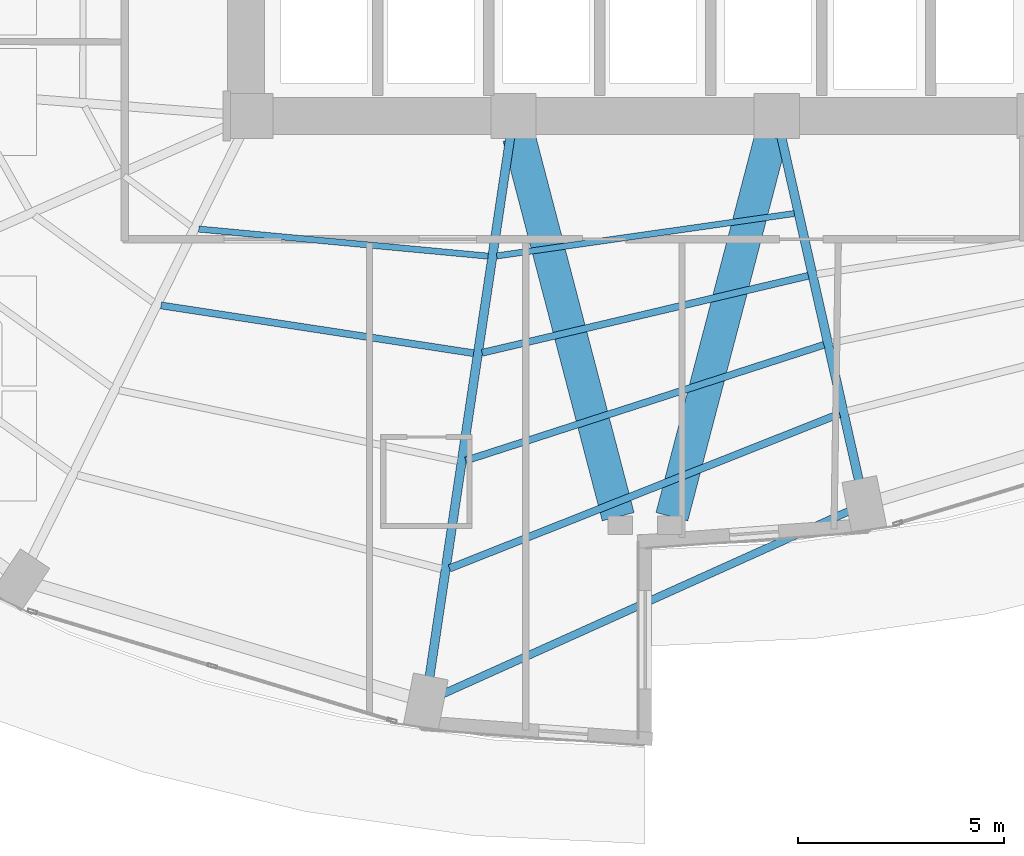
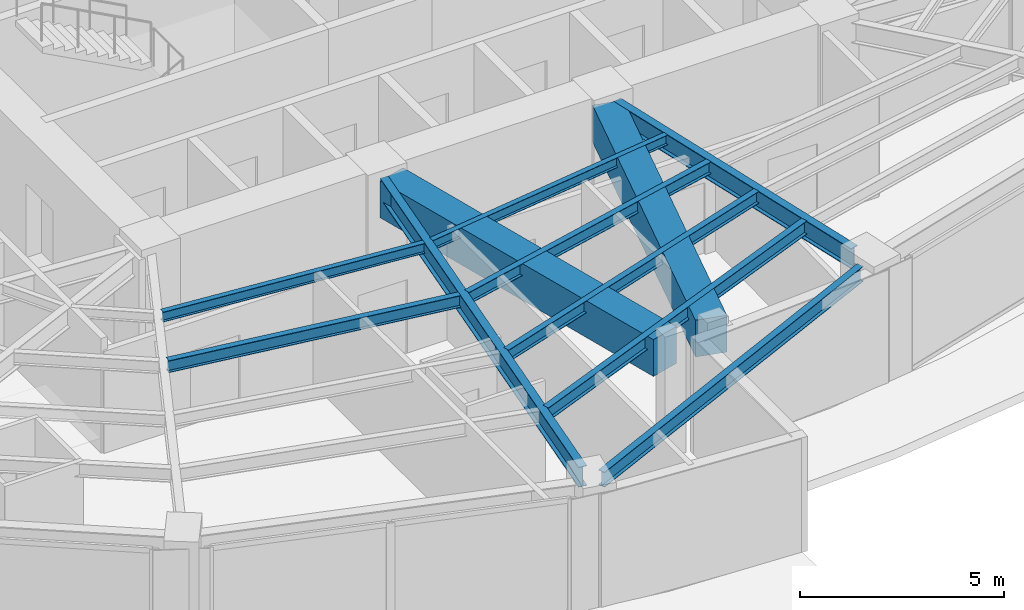
# One storey, part 6 of 25: 11 beams.
"""IFC4 building model written with IfcOpenShell, lengths in metres."""

from ifc_helpers import new_model, si_unit, direction, frame, origin, origin_2d, place, context, subcontext, project, spatial, rectangle, i_section, extrude, material, material_profile, profile_set, type_object, element, save


model = new_model("IFC4")

# Units and contexts
model_context = context("Model", 3, precision=1e-05, world=origin(), true_north=direction((0.0, 1.0)))
body_context = subcontext(model_context, "Body", "Model", "MODEL_VIEW")
ifc_project = project(units=[si_unit("LENGTHUNIT", "METRE"), si_unit("AREAUNIT", "SQUARE_METRE"), si_unit("VOLUMEUNIT", "CUBIC_METRE"), si_unit("PLANEANGLEUNIT", "RADIAN"), si_unit("MASSUNIT", "GRAM", prefix="KILO")], contexts=[model_context])

# Site, building, storey
site_placement = place(None, origin())
site = spatial("IfcSite", under=ifc_project, at=site_placement, CompositionType="ELEMENT")
building_placement = place(site_placement, origin())
building = spatial("IfcBuilding", under=site, at=building_placement, Name="Lazwardi Medical Tower", CompositionType="ELEMENT")
storey_placement = place(building_placement, frame((0.0, 0.0, 25.199951171875)))
storey = spatial("IfcBuildingStorey", under=building, at=storey_placement, Name="L05", CompositionType="ELEMENT", Elevation=25.199951171875)

# Beams
ifc_material_1 = material(Name="Concrete C70/85", Category="concrete")
ifc_material_profile_1 = material_profile(ifc_material_1, rectangle(XDim=0.800048828125, YDim=1.10009765625, at=origin_2d()), Name="RC 800x1100")
ifc_profile_set_1 = profile_set([ifc_material_profile_1], Name="Concrete C70/85")
beam_type_1 = type_object("IfcBeamType", Name="BM-CB-RC1", PredefinedType="LINTEL", material=ifc_profile_set_1)
for number, where, z_axis, x_axis, name in (
    (1, (32.935302734375, 19.88232421875, 2.8779296875), (0.252819877511, -0.967513364009, 0.0), (0.967513364009, 0.252819877511, 0.0), "Core coupling lintel CB-01 PL3 L05"),
    (2, (39.064697265625, 19.88232421875, 2.8779296875), (-0.252819877511, -0.967513364009, 0.0), (0.967513364009, -0.252819877511, 0.0), "Core coupling lintel CB-01 PL4 L05"),
):
    element("IfcBeam", number, at=place(storey_placement, frame(where, z_axis=z_axis, x_axis=x_axis)), inside=storey, type_object=beam_type_1, Name=name, PredefinedType="LINTEL", context=body_context, shape_type="SweptSolid", body=[
        extrude(rectangle(XDim=0.800048828125, YDim=1.10009765625, at=origin_2d()), origin(), (0.0, 0.0, 1.0), 9.538818359375),
    ])
ifc_material_2 = material(Name="Steel S355", Category="steel")
ifc_material_profile_2 = material_profile(ifc_material_2, i_section(OverallWidth=0.219970703125, OverallDepth=0.60009765625, WebThickness=0.011962890625, FlangeThickness=0.01904296875, at=origin_2d()), Name="IPE 600")
ifc_profile_set_2 = profile_set([ifc_material_profile_2], Name="Steel S355")
beam_type_2 = type_object("IfcBeamType", Name="BM-RG-W1", PredefinedType="BEAM", material=ifc_profile_set_2)
beam_1_placement = place(storey_placement, frame((41.203125, 11.521728515625, 3.1279296875), z_axis=(-0.22010079219, 0.975477135189, 0.0), x_axis=(-0.975477135189, -0.22010079219, 0.0)))
element("IfcBeam", 3, at=beam_1_placement, inside=storey, type_object=beam_type_2, Name="Radial girder RG-02 R01 L05", PredefinedType="BEAM", context=body_context, shape_type="SweptSolid", body=[
    extrude(i_section(OverallWidth=0.219970703125, OverallDepth=0.60009765625, WebThickness=0.011962890625, FlangeThickness=0.01904296875, at=origin_2d()), origin(), (0.0, 0.0, 1.0), 8.56640625),
])
beam_2_placement = place(storey_placement, frame((30.7548828125, 6.7294921875, 3.1279296875), z_axis=(0.147944218183, 0.98899570692, 0.0), x_axis=(-0.98899570692, 0.147944218183, 0.0)))
element("IfcBeam", 4, at=beam_2_placement, inside=storey, type_object=beam_type_2, Name="Radial girder RG-02 R16 L05", PredefinedType="BEAM", context=body_context, shape_type="SweptSolid", body=[
    extrude(i_section(OverallWidth=0.219970703125, OverallDepth=0.60009765625, WebThickness=0.011962890625, FlangeThickness=0.01904296875, at=origin_2d()), origin(), (0.0, 0.0, 1.0), 13.28759765625),
])
ifc_material_profile_3 = material_profile(ifc_material_2, i_section(OverallWidth=0.179931640625, OverallDepth=0.39990234375, WebThickness=0.008544921875, FlangeThickness=0.013427734375, at=origin_2d()), Name="IPE 400")
ifc_profile_set_3 = profile_set([ifc_material_profile_3], Name="Steel S355")
beam_type_3 = type_object("IfcBeamType", Name="BM-SJ-01", PredefinedType="JOIST", material=ifc_profile_set_3)
beam_3_placement = place(storey_placement, frame((31.245849609375, 9.396484375, 3.22802734375), z_axis=(0.929663713752, 0.368409255222, 0.0), x_axis=(-0.368409255222, 0.929663713752, 0.0)))
element("IfcBeam", 5, at=beam_3_placement, inside=storey, type_object=beam_type_3, Name="Secondary joist SJ-01 R1 B16 L05", PredefinedType="JOIST", context=body_context, shape_type="SweptSolid", body=[
    extrude(i_section(OverallWidth=0.179931640625, OverallDepth=0.39990234375, WebThickness=0.008544921875, FlangeThickness=0.013427734375, at=origin_2d()), origin(), (0.0, 0.0, 1.0), 10.2001953125),
])
ifc_material_profile_4 = material_profile(ifc_material_2, i_section(OverallWidth=0.169921875, OverallDepth=0.360107421875, WebThickness=0.008056640625, FlangeThickness=0.0126953125, at=origin_2d()), Name="IPE 360")
ifc_profile_set_4 = profile_set([ifc_material_profile_4], Name="Steel S355")
beam_type_4 = type_object("IfcBeamType", Name="BM-SJ-02", PredefinedType="JOIST", material=ifc_profile_set_4)
beam_4_placement = place(storey_placement, frame((31.64111328125, 12.018310546875, 3.248046875), z_axis=(0.951558895485, 0.307466532199, 0.0), x_axis=(-0.307466532199, 0.951558895485, 0.0)))
element("IfcBeam", 6, at=beam_4_placement, inside=storey, type_object=beam_type_4, Name="Secondary joist SJ-02 R2 B16 L05", PredefinedType="JOIST", context=body_context, shape_type="SweptSolid", body=[
    extrude(i_section(OverallWidth=0.169921875, OverallDepth=0.360107421875, WebThickness=0.008056640625, FlangeThickness=0.0126953125, at=origin_2d()), origin(), (0.0, 0.0, 1.0), 9.1513671875),
])
beam_5_placement = place(storey_placement, frame((24.23193359375, 15.790771484375, 3.248046875), z_axis=(0.988535611365, -0.150987897074, 0.0), x_axis=(0.150987897074, 0.988535611365, 0.0)))
element("IfcBeam", 7, at=beam_5_placement, inside=storey, type_object=beam_type_4, Name="Secondary joist SJ-02 R3 B15 L05", PredefinedType="JOIST", context=body_context, shape_type="SweptSolid", body=[
    extrude(i_section(OverallWidth=0.169921875, OverallDepth=0.360107421875, WebThickness=0.008056640625, FlangeThickness=0.0126953125, at=origin_2d()), origin(), (0.0, 0.0, 1.0), 7.68701171875),
])
beam_6_placement = place(storey_placement, frame((32.03662109375, 14.638427734375, 3.248046875), z_axis=(0.973240904247, 0.229787167397, 0.0), x_axis=(-0.229787167397, 0.973240904247, 0.0)))
element("IfcBeam", 8, at=beam_6_placement, inside=storey, type_object=beam_type_4, Name="Secondary joist SJ-02 R3 B16 L05", PredefinedType="JOIST", context=body_context, shape_type="SweptSolid", body=[
    extrude(i_section(OverallWidth=0.169921875, OverallDepth=0.360107421875, WebThickness=0.008056640625, FlangeThickness=0.0126953125, at=origin_2d()), origin(), (0.0, 0.0, 1.0), 8.151123046875),
])
ifc_material_profile_5 = material_profile(ifc_material_2, i_section(OverallWidth=0.14990234375, OverallDepth=0.300048828125, WebThickness=0.007080078125, FlangeThickness=0.0107421875, at=origin_2d()), Name="IPE 300")
ifc_profile_set_5 = profile_set([ifc_material_profile_5], Name="Steel S355")
beam_type_5 = type_object("IfcBeamType", Name="BM-SJ-03", PredefinedType="JOIST", material=ifc_profile_set_5)
beam_7_placement = place(storey_placement, frame((25.148193359375, 17.64794921875, 3.278076171875), z_axis=(0.995649263748, -0.093180167407, 0.0), x_axis=(0.093180167407, 0.995649263748, 0.0)))
element("IfcBeam", 9, at=beam_7_placement, inside=storey, type_object=beam_type_5, Name="Secondary joist SJ-03 R4 B15 L05", PredefinedType="JOIST", context=body_context, shape_type="SweptSolid", body=[
    extrude(i_section(OverallWidth=0.14990234375, OverallDepth=0.300048828125, WebThickness=0.007080078125, FlangeThickness=0.0107421875, at=origin_2d()), origin(), (0.0, 0.0, 1.0), 7.06640625),
])
beam_8_placement = place(storey_placement, frame((32.392333984375, 16.99462890625, 3.278076171875), z_axis=(0.99001552228, 0.140958382672, 0.0), x_axis=(-0.140958382672, 0.99001552228, 0.0)))
element("IfcBeam", 10, at=beam_8_placement, inside=storey, type_object=beam_type_5, Name="Secondary joist SJ-03 R4 B16 L05", PredefinedType="JOIST", context=body_context, shape_type="SweptSolid", body=[
    extrude(i_section(OverallWidth=0.14990234375, OverallDepth=0.300048828125, WebThickness=0.007080078125, FlangeThickness=0.0107421875, at=origin_2d()), origin(), (0.0, 0.0, 1.0), 7.30908203125),
])
ifc_material_profile_6 = material_profile(ifc_material_2, i_section(OverallWidth=0.18994140625, OverallDepth=0.449951171875, WebThickness=0.009521484375, FlangeThickness=0.0146484375, at=origin_2d()), Name="IPE 450")
ifc_profile_set_6 = profile_set([ifc_material_profile_6], Name="Steel S355")
beam_type_6 = type_object("IfcBeamType", Name="BM-SP-01", PredefinedType="SPANDREL", material=ifc_profile_set_6)
beam_9_placement = place(storey_placement, frame((31.05224609375, 6.328369140625, 3.203125), z_axis=(0.91184908894, 0.410525564368, 0.0), x_axis=(-0.410525564368, 0.91184908894, 0.0)))
element("IfcBeam", 11, at=beam_9_placement, inside=storey, type_object=beam_type_6, Name="Spandrel beam SP-01 B16 L05", PredefinedType="SPANDREL", context=body_context, shape_type="SweptSolid", body=[
    extrude(i_section(OverallWidth=0.18994140625, OverallDepth=0.449951171875, WebThickness=0.009521484375, FlangeThickness=0.0146484375, at=origin_2d()), origin(), (0.0, 0.0, 1.0), 10.85205078125),
])

save(model, "model.ifc")
